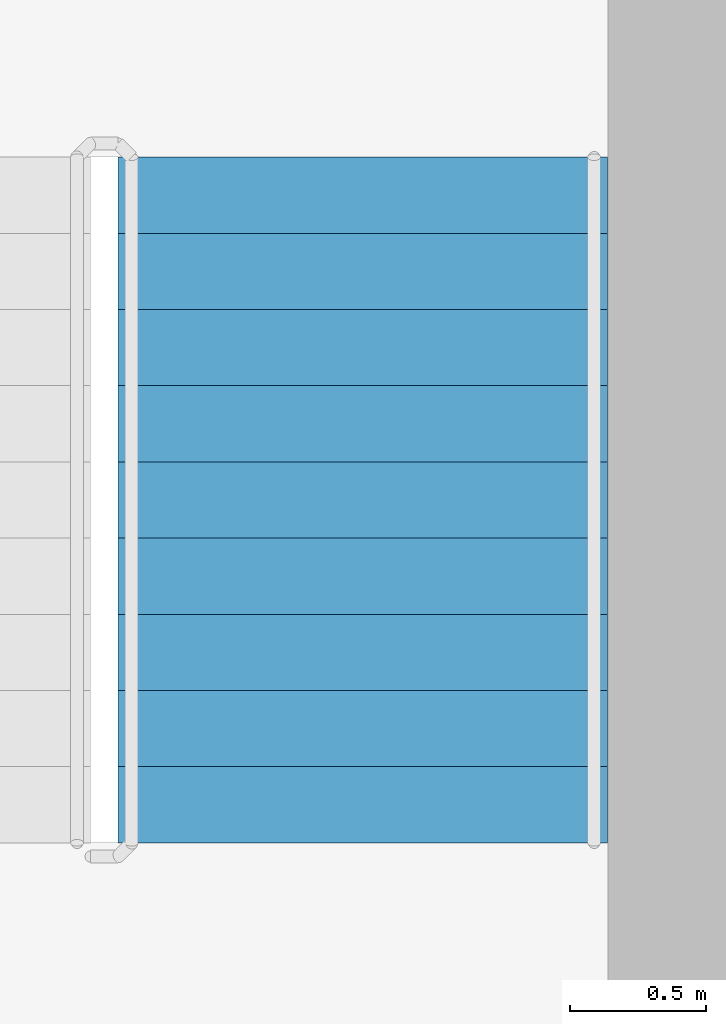
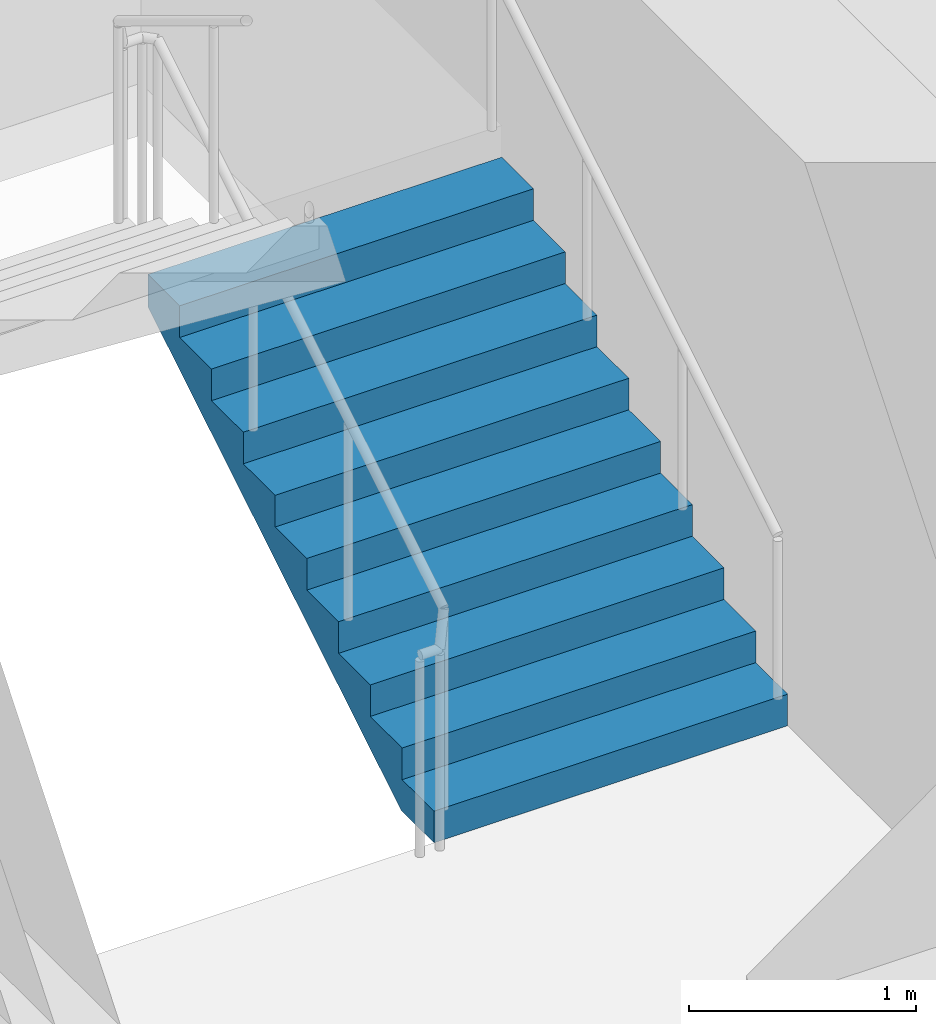
# One storey, part 13 of 23: 1 stair flight, 1 element without a shape of its own.
"""IFC4 building model written with IfcOpenShell, lengths in metres."""

from ifc_helpers import new_model, si_unit, direction, frame, origin, place, context, subcontext, project, spatial, triangles, source, transform, mapped, material, type_object, element, aggregate, save


model = new_model("IFC4")

# Units and contexts
model_context = context("Model", 3, precision=1e-05, world=origin(), true_north=direction((0.0, 1.0)))
body_context = subcontext(model_context, "Body", "Model", "MODEL_VIEW")
ifc_project = project(units=[si_unit("LENGTHUNIT", "METRE"), si_unit("AREAUNIT", "SQUARE_METRE"), si_unit("VOLUMEUNIT", "CUBIC_METRE"), si_unit("PLANEANGLEUNIT", "RADIAN"), si_unit("MASSUNIT", "GRAM", prefix="KILO")], contexts=[model_context])

# Site, building, storey
site_placement = place(None, origin())
site = spatial("IfcSite", under=ifc_project, at=site_placement, CompositionType="ELEMENT")
building_placement = place(site_placement, origin())
building = spatial("IfcBuilding", under=site, at=building_placement, Name="Kilnfold Tower and Market Hall", CompositionType="ELEMENT")
storey_placement = place(building_placement, frame((0.0, 0.0, 203.300048828125)))
storey = spatial("IfcBuildingStorey", under=building, at=storey_placement, Name="L49", CompositionType="ELEMENT", Elevation=203.300048828125)

# Stair, stair flight
ifc_material_1 = material(Name="Concrete C40/50", Category="concrete")
stair_type = type_object("IfcStairType", Name="CORE STAIR 1800", PredefinedType="HALF_TURN_STAIR", material=ifc_material_1)
stair_placement = place(storey_placement, origin())
stair = element("IfcStair", 1, at=stair_placement, inside=storey, type_object=stair_type, Name="L49 ST2", PredefinedType="HALF_TURN_STAIR")
ifc_material_2 = material(Name="Concrete C40/50", Category="concrete")
stair_flight_type = type_object("IfcStairFlightType", Name="CORE STAIR FLIGHT 1800", PredefinedType="STRAIGHT", material=ifc_material_2)
shared_shape = source(origin(), body_context, "Body", "Tessellation", [
    triangles([(0.0, 0.89990234375, 0.0), (0.0, 0.78759765625, 0.0), (0.0, 0.675048828125, 0.0), (0.0, 0.5625, 0.0), (0.0, 0.449951171875, 0.0), (0.0, 0.33740234375, 0.0), (0.0, 0.22509765625, 0.0), (0.0, 0.112548828125, 0.0), (0.0, 0.0, 0.0), (0.0, -0.112548828125, 0.0), (0.0, -0.22509765625, 0.0), (0.0, -0.33740234375, 0.0), (0.0, -0.449951171875, 0.0), (0.0, -0.5625, 0.0), (0.0, -0.675048828125, 0.0), (0.0, -0.78759765625, 0.0), (0.0, -0.89990234375, 0.0), (0.0, 0.89990234375, 0.169921875), (0.0, 0.78759765625, 0.169921875), (0.0, 0.675048828125, 0.169921875), (0.0, 0.5625, 0.169921875), (0.0, 0.449951171875, 0.169921875), (0.0, 0.33740234375, 0.169921875), (0.0, 0.22509765625, 0.169921875), (0.0, 0.112548828125, 0.169921875), (0.0, 0.0, 0.169921875), (0.0, -0.112548828125, 0.169921875), (0.0, -0.22509765625, 0.169921875), (0.0, -0.33740234375, 0.169921875), (0.0, -0.449951171875, 0.169921875), (0.0, -0.5625, 0.169921875), (0.0, -0.675048828125, 0.169921875), (0.0, -0.78759765625, 0.169921875), (0.0, -0.89990234375, 0.169921875), (0.280029296875, 0.89990234375, 0.169921875), (0.280029296875, 0.78759765625, 0.169921875), (0.280029296875, 0.675048828125, 0.169921875), (0.280029296875, 0.5625, 0.169921875), (0.280029296875, 0.449951171875, 0.169921875), (0.280029296875, 0.33740234375, 0.169921875), (0.280029296875, 0.22509765625, 0.169921875), (0.280029296875, 0.112548828125, 0.169921875), (0.280029296875, 0.0, 0.169921875), (0.280029296875, -0.112548828125, 0.169921875), (0.280029296875, -0.22509765625, 0.169921875), (0.280029296875, -0.33740234375, 0.169921875), (0.280029296875, -0.449951171875, 0.169921875), (0.280029296875, -0.5625, 0.169921875), (0.280029296875, -0.675048828125, 0.169921875), (0.280029296875, -0.78759765625, 0.169921875), (0.280029296875, -0.89990234375, 0.169921875), (0.280029296875, 0.89990234375, 0.340087890625), (0.280029296875, 0.78759765625, 0.340087890625), (0.280029296875, 0.675048828125, 0.340087890625), (0.280029296875, 0.5625, 0.340087890625), (0.280029296875, 0.449951171875, 0.340087890625), (0.280029296875, 0.33740234375, 0.340087890625), (0.280029296875, 0.22509765625, 0.340087890625), (0.280029296875, 0.112548828125, 0.340087890625), (0.280029296875, 0.0, 0.340087890625), (0.280029296875, -0.112548828125, 0.340087890625), (0.280029296875, -0.22509765625, 0.340087890625), (0.280029296875, -0.33740234375, 0.340087890625), (0.280029296875, -0.449951171875, 0.340087890625), (0.280029296875, -0.5625, 0.340087890625), (0.280029296875, -0.675048828125, 0.340087890625), (0.280029296875, -0.78759765625, 0.340087890625), (0.280029296875, -0.89990234375, 0.340087890625), (0.56005859375, 0.89990234375, 0.340087890625), (0.56005859375, 0.78759765625, 0.340087890625), (0.56005859375, 0.675048828125, 0.340087890625), (0.56005859375, 0.5625, 0.340087890625), (0.56005859375, 0.449951171875, 0.340087890625), (0.56005859375, 0.33740234375, 0.340087890625), (0.56005859375, 0.22509765625, 0.340087890625), (0.56005859375, 0.112548828125, 0.340087890625), (0.56005859375, 0.0, 0.340087890625), (0.56005859375, -0.112548828125, 0.340087890625), (0.56005859375, -0.22509765625, 0.340087890625), (0.56005859375, -0.33740234375, 0.340087890625), (0.56005859375, -0.449951171875, 0.340087890625), (0.56005859375, -0.5625, 0.340087890625), (0.56005859375, -0.675048828125, 0.340087890625), (0.56005859375, -0.78759765625, 0.340087890625), (0.56005859375, -0.89990234375, 0.340087890625), (0.56005859375, 0.89990234375, 0.510009765625), (0.56005859375, 0.78759765625, 0.510009765625), (0.56005859375, 0.675048828125, 0.510009765625), (0.56005859375, 0.5625, 0.510009765625), (0.56005859375, 0.449951171875, 0.510009765625), (0.56005859375, 0.33740234375, 0.510009765625), (0.56005859375, 0.22509765625, 0.510009765625), (0.56005859375, 0.112548828125, 0.510009765625), (0.56005859375, 0.0, 0.510009765625), (0.56005859375, -0.112548828125, 0.510009765625), (0.56005859375, -0.22509765625, 0.510009765625), (0.56005859375, -0.33740234375, 0.510009765625), (0.56005859375, -0.449951171875, 0.510009765625), (0.56005859375, -0.5625, 0.510009765625), (0.56005859375, -0.675048828125, 0.510009765625), (0.56005859375, -0.78759765625, 0.510009765625), (0.56005859375, -0.89990234375, 0.510009765625), (0.840087890625, 0.89990234375, 0.510009765625), (0.840087890625, 0.78759765625, 0.510009765625), (0.840087890625, 0.675048828125, 0.510009765625), (0.840087890625, 0.5625, 0.510009765625), (0.840087890625, 0.449951171875, 0.510009765625), (0.840087890625, 0.33740234375, 0.510009765625), (0.840087890625, 0.22509765625, 0.510009765625), (0.840087890625, 0.112548828125, 0.510009765625), (0.840087890625, 0.0, 0.510009765625), (0.840087890625, -0.112548828125, 0.510009765625), (0.840087890625, -0.22509765625, 0.510009765625), (0.840087890625, -0.33740234375, 0.510009765625), (0.840087890625, -0.449951171875, 0.510009765625), (0.840087890625, -0.5625, 0.510009765625), (0.840087890625, -0.675048828125, 0.510009765625), (0.840087890625, -0.78759765625, 0.510009765625), (0.840087890625, -0.89990234375, 0.510009765625), (0.840087890625, 0.89990234375, 0.679931640625), (0.840087890625, 0.78759765625, 0.679931640625), (0.840087890625, 0.675048828125, 0.679931640625), (0.840087890625, 0.5625, 0.679931640625), (0.840087890625, 0.449951171875, 0.679931640625), (0.840087890625, 0.33740234375, 0.679931640625), (0.840087890625, 0.22509765625, 0.679931640625), (0.840087890625, 0.112548828125, 0.679931640625), (0.840087890625, 0.0, 0.679931640625), (0.840087890625, -0.112548828125, 0.679931640625), (0.840087890625, -0.22509765625, 0.679931640625), (0.840087890625, -0.33740234375, 0.679931640625), (0.840087890625, -0.449951171875, 0.679931640625), (0.840087890625, -0.5625, 0.679931640625), (0.840087890625, -0.675048828125, 0.679931640625), (0.840087890625, -0.78759765625, 0.679931640625), (0.840087890625, -0.89990234375, 0.679931640625), (1.1201171875, 0.89990234375, 0.679931640625), (1.1201171875, 0.78759765625, 0.679931640625), (1.1201171875, 0.675048828125, 0.679931640625), (1.1201171875, 0.5625, 0.679931640625), (1.1201171875, 0.449951171875, 0.679931640625), (1.1201171875, 0.33740234375, 0.679931640625), (1.1201171875, 0.22509765625, 0.679931640625), (1.1201171875, 0.112548828125, 0.679931640625), (1.1201171875, 0.0, 0.679931640625), (1.1201171875, -0.112548828125, 0.679931640625), (1.1201171875, -0.22509765625, 0.679931640625), (1.1201171875, -0.33740234375, 0.679931640625), (1.1201171875, -0.449951171875, 0.679931640625), (1.1201171875, -0.5625, 0.679931640625), (1.1201171875, -0.675048828125, 0.679931640625), (1.1201171875, -0.78759765625, 0.679931640625), (1.1201171875, -0.89990234375, 0.679931640625), (1.1201171875, 0.89990234375, 0.85009765625), (1.1201171875, 0.78759765625, 0.85009765625), (1.1201171875, 0.675048828125, 0.85009765625), (1.1201171875, 0.5625, 0.85009765625), (1.1201171875, 0.449951171875, 0.85009765625), (1.1201171875, 0.33740234375, 0.85009765625), (1.1201171875, 0.22509765625, 0.85009765625), (1.1201171875, 0.112548828125, 0.85009765625), (1.1201171875, 0.0, 0.85009765625), (1.1201171875, -0.112548828125, 0.85009765625), (1.1201171875, -0.22509765625, 0.85009765625), (1.1201171875, -0.33740234375, 0.85009765625), (1.1201171875, -0.449951171875, 0.85009765625), (1.1201171875, -0.5625, 0.85009765625), (1.1201171875, -0.675048828125, 0.85009765625), (1.1201171875, -0.78759765625, 0.85009765625), (1.1201171875, -0.89990234375, 0.85009765625), (1.39990234375, 0.89990234375, 0.85009765625), (1.39990234375, 0.78759765625, 0.85009765625), (1.39990234375, 0.675048828125, 0.85009765625), (1.39990234375, 0.5625, 0.85009765625), (1.39990234375, 0.449951171875, 0.85009765625), (1.39990234375, 0.33740234375, 0.85009765625), (1.39990234375, 0.22509765625, 0.85009765625), (1.39990234375, 0.112548828125, 0.85009765625), (1.39990234375, 0.0, 0.85009765625), (1.39990234375, -0.112548828125, 0.85009765625), (1.39990234375, -0.22509765625, 0.85009765625), (1.39990234375, -0.33740234375, 0.85009765625), (1.39990234375, -0.449951171875, 0.85009765625), (1.39990234375, -0.5625, 0.85009765625), (1.39990234375, -0.675048828125, 0.85009765625), (1.39990234375, -0.78759765625, 0.85009765625), (1.39990234375, -0.89990234375, 0.85009765625), (1.39990234375, 0.89990234375, 1.02001953125), (1.39990234375, 0.78759765625, 1.02001953125), (1.39990234375, 0.675048828125, 1.02001953125), (1.39990234375, 0.5625, 1.02001953125), (1.39990234375, 0.449951171875, 1.02001953125), (1.39990234375, 0.33740234375, 1.02001953125), (1.39990234375, 0.22509765625, 1.02001953125), (1.39990234375, 0.112548828125, 1.02001953125), (1.39990234375, 0.0, 1.02001953125), (1.39990234375, -0.112548828125, 1.02001953125), (1.39990234375, -0.22509765625, 1.02001953125), (1.39990234375, -0.33740234375, 1.02001953125), (1.39990234375, -0.449951171875, 1.02001953125), (1.39990234375, -0.5625, 1.02001953125), (1.39990234375, -0.675048828125, 1.02001953125), (1.39990234375, -0.78759765625, 1.02001953125), (1.39990234375, -0.89990234375, 1.02001953125), (1.679931640625, 0.89990234375, 1.02001953125), (1.679931640625, 0.78759765625, 1.02001953125), (1.679931640625, 0.675048828125, 1.02001953125), (1.679931640625, 0.5625, 1.02001953125), (1.679931640625, 0.449951171875, 1.02001953125), (1.679931640625, 0.33740234375, 1.02001953125), (1.679931640625, 0.22509765625, 1.02001953125), (1.679931640625, 0.112548828125, 1.02001953125), (1.679931640625, 0.0, 1.02001953125), (1.679931640625, -0.112548828125, 1.02001953125), (1.679931640625, -0.22509765625, 1.02001953125), (1.679931640625, -0.33740234375, 1.02001953125), (1.679931640625, -0.449951171875, 1.02001953125), (1.679931640625, -0.5625, 1.02001953125), (1.679931640625, -0.675048828125, 1.02001953125), (1.679931640625, -0.78759765625, 1.02001953125), (1.679931640625, -0.89990234375, 1.02001953125), (1.679931640625, 0.89990234375, 1.18994140625), (1.679931640625, 0.78759765625, 1.18994140625), (1.679931640625, 0.675048828125, 1.18994140625), (1.679931640625, 0.5625, 1.18994140625), (1.679931640625, 0.449951171875, 1.18994140625), (1.679931640625, 0.33740234375, 1.18994140625), (1.679931640625, 0.22509765625, 1.18994140625), (1.679931640625, 0.112548828125, 1.18994140625), (1.679931640625, 0.0, 1.18994140625), (1.679931640625, -0.112548828125, 1.18994140625), (1.679931640625, -0.22509765625, 1.18994140625), (1.679931640625, -0.33740234375, 1.18994140625), (1.679931640625, -0.449951171875, 1.18994140625), (1.679931640625, -0.5625, 1.18994140625), (1.679931640625, -0.675048828125, 1.18994140625), (1.679931640625, -0.78759765625, 1.18994140625), (1.679931640625, -0.89990234375, 1.18994140625), (1.9599609375, 0.89990234375, 1.18994140625), (1.9599609375, 0.78759765625, 1.18994140625), (1.9599609375, 0.675048828125, 1.18994140625), (1.9599609375, 0.5625, 1.18994140625), (1.9599609375, 0.449951171875, 1.18994140625), (1.9599609375, 0.33740234375, 1.18994140625), (1.9599609375, 0.22509765625, 1.18994140625), (1.9599609375, 0.112548828125, 1.18994140625), (1.9599609375, 0.0, 1.18994140625), (1.9599609375, -0.112548828125, 1.18994140625), (1.9599609375, -0.22509765625, 1.18994140625), (1.9599609375, -0.33740234375, 1.18994140625), (1.9599609375, -0.449951171875, 1.18994140625), (1.9599609375, -0.5625, 1.18994140625), (1.9599609375, -0.675048828125, 1.18994140625), (1.9599609375, -0.78759765625, 1.18994140625), (1.9599609375, -0.89990234375, 1.18994140625), (1.9599609375, 0.89990234375, 1.360107421875), (1.9599609375, 0.78759765625, 1.360107421875), (1.9599609375, 0.675048828125, 1.360107421875), (1.9599609375, 0.5625, 1.360107421875), (1.9599609375, 0.449951171875, 1.360107421875), (1.9599609375, 0.33740234375, 1.360107421875), (1.9599609375, 0.22509765625, 1.360107421875), (1.9599609375, 0.112548828125, 1.360107421875), (1.9599609375, 0.0, 1.360107421875), (1.9599609375, -0.112548828125, 1.360107421875), (1.9599609375, -0.22509765625, 1.360107421875), (1.9599609375, -0.33740234375, 1.360107421875), (1.9599609375, -0.449951171875, 1.360107421875), (1.9599609375, -0.5625, 1.360107421875), (1.9599609375, -0.675048828125, 1.360107421875), (1.9599609375, -0.78759765625, 1.360107421875), (1.9599609375, -0.89990234375, 1.360107421875), (2.239990234375, 0.89990234375, 1.360107421875), (2.239990234375, 0.78759765625, 1.360107421875), (2.239990234375, 0.675048828125, 1.360107421875), (2.239990234375, 0.5625, 1.360107421875), (2.239990234375, 0.449951171875, 1.360107421875), (2.239990234375, 0.33740234375, 1.360107421875), (2.239990234375, 0.22509765625, 1.360107421875), (2.239990234375, 0.112548828125, 1.360107421875), (2.239990234375, 0.0, 1.360107421875), (2.239990234375, -0.112548828125, 1.360107421875), (2.239990234375, -0.22509765625, 1.360107421875), (2.239990234375, -0.33740234375, 1.360107421875), (2.239990234375, -0.449951171875, 1.360107421875), (2.239990234375, -0.5625, 1.360107421875), (2.239990234375, -0.675048828125, 1.360107421875), (2.239990234375, -0.78759765625, 1.360107421875), (2.239990234375, -0.89990234375, 1.360107421875), (2.239990234375, 0.89990234375, 1.530029296875), (2.239990234375, 0.78759765625, 1.530029296875), (2.239990234375, 0.675048828125, 1.530029296875), (2.239990234375, 0.5625, 1.530029296875), (2.239990234375, 0.449951171875, 1.530029296875), (2.239990234375, 0.33740234375, 1.530029296875), (2.239990234375, 0.22509765625, 1.530029296875), (2.239990234375, 0.112548828125, 1.530029296875), (2.239990234375, 0.0, 1.530029296875), (2.239990234375, -0.112548828125, 1.530029296875), (2.239990234375, -0.22509765625, 1.530029296875), (2.239990234375, -0.33740234375, 1.530029296875), (2.239990234375, -0.449951171875, 1.530029296875), (2.239990234375, -0.5625, 1.530029296875), (2.239990234375, -0.675048828125, 1.530029296875), (2.239990234375, -0.78759765625, 1.530029296875), (2.239990234375, -0.89990234375, 1.530029296875), (2.52001953125, 0.89990234375, 1.530029296875), (2.52001953125, 0.78759765625, 1.530029296875), (2.52001953125, 0.675048828125, 1.530029296875), (2.52001953125, 0.5625, 1.530029296875), (2.52001953125, 0.449951171875, 1.530029296875), (2.52001953125, 0.33740234375, 1.530029296875), (2.52001953125, 0.22509765625, 1.530029296875), (2.52001953125, 0.112548828125, 1.530029296875), (2.52001953125, 0.0, 1.530029296875), (2.52001953125, -0.112548828125, 1.530029296875), (2.52001953125, -0.22509765625, 1.530029296875), (2.52001953125, -0.33740234375, 1.530029296875), (2.52001953125, -0.449951171875, 1.530029296875), (2.52001953125, -0.5625, 1.530029296875), (2.52001953125, -0.675048828125, 1.530029296875), (2.52001953125, -0.78759765625, 1.530029296875), (2.52001953125, -0.89990234375, 1.530029296875), (2.52001953125, 0.89990234375, 1.354736328125), (2.52001953125, 0.78759765625, 1.354736328125), (2.52001953125, 0.675048828125, 1.354736328125), (2.52001953125, 0.5625, 1.354736328125), (2.52001953125, 0.449951171875, 1.354736328125), (2.52001953125, 0.33740234375, 1.354736328125), (2.52001953125, 0.22509765625, 1.354736328125), (2.52001953125, 0.112548828125, 1.354736328125), (2.52001953125, 0.0, 1.354736328125), (2.52001953125, -0.112548828125, 1.354736328125), (2.52001953125, -0.22509765625, 1.354736328125), (2.52001953125, -0.33740234375, 1.354736328125), (2.52001953125, -0.449951171875, 1.354736328125), (2.52001953125, -0.5625, 1.354736328125), (2.52001953125, -0.675048828125, 1.354736328125), (2.52001953125, -0.78759765625, 1.354736328125), (2.52001953125, -0.89990234375, 1.354736328125), (0.288818359375, 0.89990234375, 0.0), (0.288818359375, 0.78759765625, 0.0), (0.288818359375, 0.675048828125, 0.0), (0.288818359375, 0.5625, 0.0), (0.288818359375, 0.449951171875, 0.0), (0.288818359375, 0.33740234375, 0.0), (0.288818359375, 0.22509765625, 0.0), (0.288818359375, 0.112548828125, 0.0), (0.288818359375, 0.0, 0.0), (0.288818359375, -0.112548828125, 0.0), (0.288818359375, -0.22509765625, 0.0), (0.288818359375, -0.33740234375, 0.0), (0.288818359375, -0.449951171875, 0.0), (0.288818359375, -0.5625, 0.0), (0.288818359375, -0.675048828125, 0.0), (0.288818359375, -0.78759765625, 0.0), (0.288818359375, -0.89990234375, 0.0)], [[1, 324, 341], [17, 357, 340], [324, 290, 307], [340, 323, 306], [324, 273, 290], [340, 306, 289], [324, 256, 273], [340, 289, 272], [324, 239, 256], [340, 272, 255], [239, 205, 222], [255, 238, 221], [324, 205, 239], [340, 255, 221], [205, 171, 188], [221, 204, 187], [324, 171, 205], [340, 221, 187], [171, 137, 154], [187, 170, 153], [324, 137, 171], [340, 187, 153], [137, 103, 120], [153, 136, 119], [324, 103, 137], [340, 153, 119], [103, 69, 86], [119, 102, 85], [324, 69, 103], [340, 119, 85], [69, 35, 52], [85, 68, 51], [324, 35, 69], [340, 85, 51], [1, 35, 324], [17, 340, 51], [35, 1, 18], [51, 34, 17], [1, 19, 18], [1, 2, 19], [2, 20, 19], [2, 3, 20], [3, 21, 20], [3, 4, 21], [4, 22, 21], [4, 5, 22], [5, 23, 22], [5, 6, 23], [6, 24, 23], [6, 7, 24], [7, 25, 24], [7, 8, 25], [8, 26, 25], [8, 9, 26], [9, 27, 26], [9, 10, 27], [10, 28, 27], [10, 11, 28], [11, 29, 28], [11, 12, 29], [12, 30, 29], [12, 13, 30], [13, 31, 30], [13, 14, 31], [14, 32, 31], [14, 15, 32], [15, 33, 32], [15, 16, 33], [16, 34, 33], [16, 17, 34], [18, 36, 35], [18, 19, 36], [19, 37, 36], [19, 20, 37], [20, 38, 37], [20, 21, 38], [21, 39, 38], [21, 22, 39], [22, 40, 39], [22, 23, 40], [23, 41, 40], [23, 24, 41], [24, 42, 41], [24, 25, 42], [25, 43, 42], [25, 26, 43], [26, 44, 43], [26, 27, 44], [27, 45, 44], [27, 28, 45], [28, 46, 45], [28, 29, 46], [29, 47, 46], [29, 30, 47], [30, 48, 47], [30, 31, 48], [31, 49, 48], [31, 32, 49], [32, 50, 49], [32, 33, 50], [33, 51, 50], [33, 34, 51], [35, 53, 52], [35, 36, 53], [36, 54, 53], [36, 37, 54], [37, 55, 54], [37, 38, 55], [38, 56, 55], [38, 39, 56], [39, 57, 56], [39, 40, 57], [40, 58, 57], [40, 41, 58], [41, 59, 58], [41, 42, 59], [42, 60, 59], [42, 43, 60], [43, 61, 60], [43, 44, 61], [44, 62, 61], [44, 45, 62], [45, 63, 62], [45, 46, 63], [46, 64, 63], [46, 47, 64], [47, 65, 64], [47, 48, 65], [48, 66, 65], [48, 49, 66], [49, 67, 66], [49, 50, 67], [50, 68, 67], [50, 51, 68], [52, 70, 69], [52, 53, 70], [53, 71, 70], [53, 54, 71], [54, 72, 71], [54, 55, 72], [55, 73, 72], [55, 56, 73], [56, 74, 73], [56, 57, 74], [57, 75, 74], [57, 58, 75], [58, 76, 75], [58, 59, 76], [59, 77, 76], [59, 60, 77], [60, 78, 77], [60, 61, 78], [61, 79, 78], [61, 62, 79], [62, 80, 79], [62, 63, 80], [63, 81, 80], [63, 64, 81], [64, 82, 81], [64, 65, 82], [65, 83, 82], [65, 66, 83], [66, 84, 83], [66, 67, 84], [67, 85, 84], [67, 68, 85], [69, 87, 86], [69, 70, 87], [70, 88, 87], [70, 71, 88], [71, 89, 88], [71, 72, 89], [72, 90, 89], [72, 73, 90], [73, 91, 90], [73, 74, 91], [74, 92, 91], [74, 75, 92], [75, 93, 92], [75, 76, 93], [76, 94, 93], [76, 77, 94], [77, 95, 94], [77, 78, 95], [78, 96, 95], [78, 79, 96], [79, 97, 96], [79, 80, 97], [80, 98, 97], [80, 81, 98], [81, 99, 98], [81, 82, 99], [82, 100, 99], [82, 83, 100], [83, 101, 100], [83, 84, 101], [84, 102, 101], [84, 85, 102], [86, 104, 103], [86, 87, 104], [87, 105, 104], [87, 88, 105], [88, 106, 105], [88, 89, 106], [89, 107, 106], [89, 90, 107], [90, 108, 107], [90, 91, 108], [91, 109, 108], [91, 92, 109], [92, 110, 109], [92, 93, 110], [93, 111, 110], [93, 94, 111], [94, 112, 111], [94, 95, 112], [95, 113, 112], [95, 96, 113], [96, 114, 113], [96, 97, 114], [97, 115, 114], [97, 98, 115], [98, 116, 115], [98, 99, 116], [99, 117, 116], [99, 100, 117], [100, 118, 117], [100, 101, 118], [101, 119, 118], [101, 102, 119], [103, 121, 120], [103, 104, 121], [104, 122, 121], [104, 105, 122], [105, 123, 122], [105, 106, 123], [106, 124, 123], [106, 107, 124], [107, 125, 124], [107, 108, 125], [108, 126, 125], [108, 109, 126], [109, 127, 126], [109, 110, 127], [110, 128, 127], [110, 111, 128], [111, 129, 128], [111, 112, 129], [112, 130, 129], [112, 113, 130], [113, 131, 130], [113, 114, 131], [114, 132, 131], [114, 115, 132], [115, 133, 132], [115, 116, 133], [116, 134, 133], [116, 117, 134], [117, 135, 134], [117, 118, 135], [118, 136, 135], [118, 119, 136], [120, 138, 137], [120, 121, 138], [121, 139, 138], [121, 122, 139], [122, 140, 139], [122, 123, 140], [123, 141, 140], [123, 124, 141], [124, 142, 141], [124, 125, 142], [125, 143, 142], [125, 126, 143], [126, 144, 143], [126, 127, 144], [127, 145, 144], [127, 128, 145], [128, 146, 145], [128, 129, 146], [129, 147, 146], [129, 130, 147], [130, 148, 147], [130, 131, 148], [131, 149, 148], [131, 132, 149], [132, 150, 149], [132, 133, 150], [133, 151, 150], [133, 134, 151], [134, 152, 151], [134, 135, 152], [135, 153, 152], [135, 136, 153], [137, 155, 154], [137, 138, 155], [138, 156, 155], [138, 139, 156], [139, 157, 156], [139, 140, 157], [140, 158, 157], [140, 141, 158], [141, 159, 158], [141, 142, 159], [142, 160, 159], [142, 143, 160], [143, 161, 160], [143, 144, 161], [144, 162, 161], [144, 145, 162], [145, 163, 162], [145, 146, 163], [146, 164, 163], [146, 147, 164], [147, 165, 164], [147, 148, 165], [148, 166, 165], [148, 149, 166], [149, 167, 166], [149, 150, 167], [150, 168, 167], [150, 151, 168], [151, 169, 168], [151, 152, 169], [152, 170, 169], [152, 153, 170], [154, 172, 171], [154, 155, 172], [155, 173, 172], [155, 156, 173], [156, 174, 173], [156, 157, 174], [157, 175, 174], [157, 158, 175], [158, 176, 175], [158, 159, 176], [159, 177, 176], [159, 160, 177], [160, 178, 177], [160, 161, 178], [161, 179, 178], [161, 162, 179], [162, 180, 179], [162, 163, 180], [163, 181, 180], [163, 164, 181], [164, 182, 181], [164, 165, 182], [165, 183, 182], [165, 166, 183], [166, 184, 183], [166, 167, 184], [167, 185, 184], [167, 168, 185], [168, 186, 185], [168, 169, 186], [169, 187, 186], [169, 170, 187], [171, 189, 188], [171, 172, 189], [172, 190, 189], [172, 173, 190], [173, 191, 190], [173, 174, 191], [174, 192, 191], [174, 175, 192], [175, 193, 192], [175, 176, 193], [176, 194, 193], [176, 177, 194], [177, 195, 194], [177, 178, 195], [178, 196, 195], [178, 179, 196], [179, 197, 196], [179, 180, 197], [180, 198, 197], [180, 181, 198], [181, 199, 198], [181, 182, 199], [182, 200, 199], [182, 183, 200], [183, 201, 200], [183, 184, 201], [184, 202, 201], [184, 185, 202], [185, 203, 202], [185, 186, 203], [186, 204, 203], [186, 187, 204], [188, 206, 205], [188, 189, 206], [189, 207, 206], [189, 190, 207], [190, 208, 207], [190, 191, 208], [191, 209, 208], [191, 192, 209], [192, 210, 209], [192, 193, 210], [193, 211, 210], [193, 194, 211], [194, 212, 211], [194, 195, 212], [195, 213, 212], [195, 196, 213], [196, 214, 213], [196, 197, 214], [197, 215, 214], [197, 198, 215], [198, 216, 215], [198, 199, 216], [199, 217, 216], [199, 200, 217], [200, 218, 217], [200, 201, 218], [201, 219, 218], [201, 202, 219], [202, 220, 219], [202, 203, 220], [203, 221, 220], [203, 204, 221], [205, 223, 222], [205, 206, 223], [206, 224, 223], [206, 207, 224], [207, 225, 224], [207, 208, 225], [208, 226, 225], [208, 209, 226], [209, 227, 226], [209, 210, 227], [210, 228, 227], [210, 211, 228], [211, 229, 228], [211, 212, 229], [212, 230, 229], [212, 213, 230], [213, 231, 230], [213, 214, 231], [214, 232, 231], [214, 215, 232], [215, 233, 232], [215, 216, 233], [216, 234, 233], [216, 217, 234], [217, 235, 234], [217, 218, 235], [218, 236, 235], [218, 219, 236], [219, 237, 236], [219, 220, 237], [220, 238, 237], [220, 221, 238], [222, 240, 239], [222, 223, 240], [223, 241, 240], [223, 224, 241], [224, 242, 241], [224, 225, 242], [225, 243, 242], [225, 226, 243], [226, 244, 243], [226, 227, 244], [227, 245, 244], [227, 228, 245], [228, 246, 245], [228, 229, 246], [229, 247, 246], [229, 230, 247], [230, 248, 247], [230, 231, 248], [231, 249, 248], [231, 232, 249], [232, 250, 249], [232, 233, 250], [233, 251, 250], [233, 234, 251], [234, 252, 251], [234, 235, 252], [235, 253, 252], [235, 236, 253], [236, 254, 253], [236, 237, 254], [237, 255, 254], [237, 238, 255], [239, 257, 256], [239, 240, 257], [240, 258, 257], [240, 241, 258], [241, 259, 258], [241, 242, 259], [242, 260, 259], [242, 243, 260], [243, 261, 260], [243, 244, 261], [244, 262, 261], [244, 245, 262], [245, 263, 262], [245, 246, 263], [246, 264, 263], [246, 247, 264], [247, 265, 264], [247, 248, 265], [248, 266, 265], [248, 249, 266], [249, 267, 266], [249, 250, 267], [250, 268, 267], [250, 251, 268], [251, 269, 268], [251, 252, 269], [252, 270, 269], [252, 253, 270], [253, 271, 270], [253, 254, 271], [254, 272, 271], [254, 255, 272], [256, 274, 273], [256, 257, 274], [257, 275, 274], [257, 258, 275], [258, 276, 275], [258, 259, 276], [259, 277, 276], [259, 260, 277], [260, 278, 277], [260, 261, 278], [261, 279, 278], [261, 262, 279], [262, 280, 279], [262, 263, 280], [263, 281, 280], [263, 264, 281], [264, 282, 281], [264, 265, 282], [265, 283, 282], [265, 266, 283], [266, 284, 283], [266, 267, 284], [267, 285, 284], [267, 268, 285], [268, 286, 285], [268, 269, 286], [269, 287, 286], [269, 270, 287], [270, 288, 287], [270, 271, 288], [271, 289, 288], [271, 272, 289], [273, 291, 290], [273, 274, 291], [274, 292, 291], [274, 275, 292], [275, 293, 292], [275, 276, 293], [276, 294, 293], [276, 277, 294], [277, 295, 294], [277, 278, 295], [278, 296, 295], [278, 279, 296], [279, 297, 296], [279, 280, 297], [280, 298, 297], [280, 281, 298], [281, 299, 298], [281, 282, 299], [282, 300, 299], [282, 283, 300], [283, 301, 300], [283, 284, 301], [284, 302, 301], [284, 285, 302], [285, 303, 302], [285, 286, 303], [286, 304, 303], [286, 287, 304], [287, 305, 304], [287, 288, 305], [288, 306, 305], [288, 289, 306], [290, 308, 307], [290, 291, 308], [291, 309, 308], [291, 292, 309], [292, 310, 309], [292, 293, 310], [293, 311, 310], [293, 294, 311], [294, 312, 311], [294, 295, 312], [295, 313, 312], [295, 296, 313], [296, 314, 313], [296, 297, 314], [297, 315, 314], [297, 298, 315], [298, 316, 315], [298, 299, 316], [299, 317, 316], [299, 300, 317], [300, 318, 317], [300, 301, 318], [301, 319, 318], [301, 302, 319], [302, 320, 319], [302, 303, 320], [303, 321, 320], [303, 304, 321], [304, 322, 321], [304, 305, 322], [305, 323, 322], [305, 306, 323], [307, 325, 324], [307, 308, 325], [308, 326, 325], [308, 309, 326], [309, 327, 326], [309, 310, 327], [310, 328, 327], [310, 311, 328], [311, 329, 328], [311, 312, 329], [312, 330, 329], [312, 313, 330], [313, 331, 330], [313, 314, 331], [314, 332, 331], [314, 315, 332], [315, 333, 332], [315, 316, 333], [316, 334, 333], [316, 317, 334], [317, 335, 334], [317, 318, 335], [318, 336, 335], [318, 319, 336], [319, 337, 336], [319, 320, 337], [320, 338, 337], [320, 321, 338], [321, 339, 338], [321, 322, 339], [322, 340, 339], [322, 323, 340], [324, 342, 341], [324, 325, 342], [325, 343, 342], [325, 326, 343], [326, 344, 343], [326, 327, 344], [327, 345, 344], [327, 328, 345], [328, 346, 345], [328, 329, 346], [329, 347, 346], [329, 330, 347], [330, 348, 347], [330, 331, 348], [331, 349, 348], [331, 332, 349], [332, 350, 349], [332, 333, 350], [333, 351, 350], [333, 334, 351], [334, 352, 351], [334, 335, 352], [335, 353, 352], [335, 336, 353], [336, 354, 353], [336, 337, 354], [337, 355, 354], [337, 338, 355], [338, 356, 355], [338, 339, 356], [339, 357, 356], [339, 340, 357], [341, 2, 1], [341, 342, 2], [342, 3, 2], [342, 343, 3], [343, 4, 3], [343, 344, 4], [344, 5, 4], [344, 345, 5], [345, 6, 5], [345, 346, 6], [346, 7, 6], [346, 347, 7], [347, 8, 7], [347, 348, 8], [348, 9, 8], [348, 349, 9], [349, 10, 9], [349, 350, 10], [350, 11, 10], [350, 351, 11], [351, 12, 11], [351, 352, 12], [352, 13, 12], [352, 353, 13], [353, 14, 13], [353, 354, 14], [354, 15, 14], [354, 355, 15], [355, 16, 15], [355, 356, 16], [356, 17, 16], [356, 357, 17]], closed=True),
])
stair_flight_placement = place(storey_placement, frame((16.199951171875, 10.800048828125, 0.0), z_axis=(0.0, 0.0, 1.0), x_axis=(0.0, 1.0, 0.0)))
stair_flight = element("IfcStairFlight", 2, at=stair_flight_placement, type_object=stair_flight_type, Name="ST2 flight 1", NumberOfRisers=10, NumberOfTreads=9, PredefinedType="STRAIGHT", RiserHeight=0.17, TreadLength=0.28, context=body_context, shape_type="MappedRepresentation", body=[
    mapped(shared_shape, transform((0.0, 0.0, 0.0))),
])
aggregate(stair, [stair_flight])

save(model, "model.ifc")
